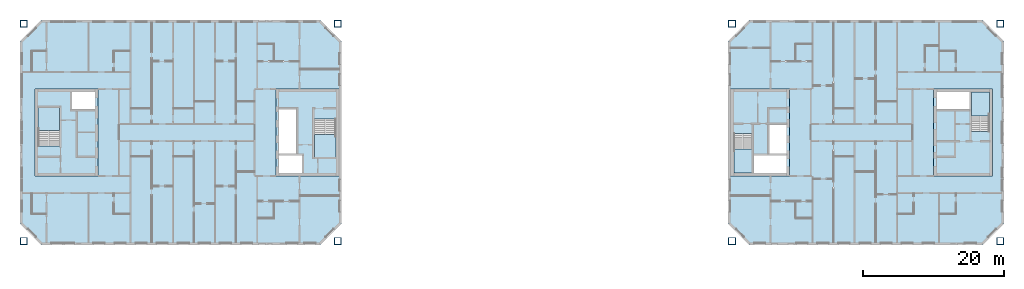
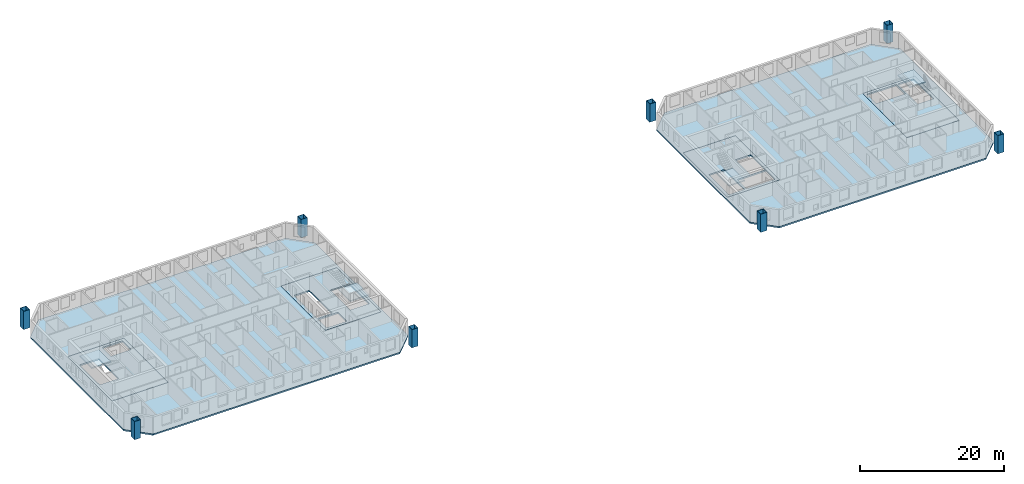
# One storey, part 1 of 16: 10 slabs, 8 columns, 4 elements without a shape of their own.
"""IFC4 building model written with IfcOpenShell, lengths in metres."""

from ifc_helpers import new_model, si_unit, direction, frame, origin, origin_2d, place, context, subcontext, project, spatial, polyline, hollow_rectangle, outline, extrude, material, layer, layer_set, material_profile, profile_set, type_object, element, aggregate, save


model = new_model("IFC4")

# Units and contexts
model_context = context("Model", 3, precision=1e-05, world=origin(), true_north=direction((0.0, 1.0)))
body_context = subcontext(model_context, "Body", "Model", "MODEL_VIEW")
ifc_project = project(units=[si_unit("LENGTHUNIT", "METRE"), si_unit("AREAUNIT", "SQUARE_METRE"), si_unit("VOLUMEUNIT", "CUBIC_METRE"), si_unit("PLANEANGLEUNIT", "RADIAN"), si_unit("MASSUNIT", "GRAM", prefix="KILO")], contexts=[model_context])

# Site, building, storey
site_placement = place(None, origin())
site = spatial("IfcSite", under=ifc_project, at=site_placement, CompositionType="ELEMENT")
building_placement = place(site_placement, origin())
building = spatial("IfcBuilding", under=site, at=building_placement, Name="Tuart Gate Housing", CompositionType="ELEMENT")
storey_placement = place(building_placement, frame((0.0, 0.0, 178.89990234375)))
storey = spatial("IfcBuildingStorey", under=building, at=storey_placement, Name="L50", CompositionType="ELEMENT", Elevation=178.89990234375)

# Columns
ifc_material_1 = material(Name="Steel Grade 350", Category="steel")
ifc_material_profile = material_profile(ifc_material_1, hollow_rectangle(XDim=1.0, YDim=1.0, WallThickness=0.054931640625, at=origin_2d()), Name="BOX 1000x1000x55")
ifc_profile_set = profile_set([ifc_material_profile], Name="Steel Grade 350")
column_type = type_object("IfcColumnType", Name="Mega column BOX 1000x1000x55", PredefinedType="COLUMN", material=ifc_profile_set)
for number, where, z_axis, x_axis, name in (
    (1, (30.800048828125, 54.550048828125, 0.0), (0.0, 0.0, 1.0), (1.0, 0.0, 0.0), "Mega column A south-west L50"),
    (2, (75.449951171875, 54.550048828125, 0.0), (0.0, 0.0, 1.0), (1.0, 0.0, 0.0), "Mega column A south-east L50"),
    (3, (75.449951171875, 85.449951171875, 0.0), (0.0, 0.0, 1.0), (1.0, 0.0, 0.0), "Mega column A north-east L50"),
    (4, (30.800048828125, 85.449951171875, 0.0), (0.0, 0.0, 1.0), (1.0, 0.0, 0.0), "Mega column A north-west L50"),
    (5, (131.550048828125, 54.550048828125, 0.0), (0.0, 0.0, 1.0), (1.0, 0.0, 0.0), "Mega column B south-west L50"),
    (6, (169.699951171875, 54.550048828125, 0.0), (0.0, 0.0, 1.0), (1.0, 0.0, 0.0), "Mega column B south-east L50"),
    (7, (169.699951171875, 85.449951171875, 0.0), (0.0, 0.0, 1.0), (1.0, 0.0, 0.0), "Mega column B north-east L50"),
    (8, (131.550048828125, 85.449951171875, 0.0), (0.0, 0.0, 1.0), (1.0, 0.0, 0.0), "Mega column B north-west L50"),
):
    element("IfcColumn", number, at=place(storey_placement, frame(where, z_axis=z_axis, x_axis=x_axis)), inside=storey, type_object=column_type, Name=name, PredefinedType="COLUMN", context=body_context, shape_type="SweptSolid", body=[
        extrude(hollow_rectangle(XDim=1.0, YDim=1.0, WallThickness=0.054931640625, at=origin_2d()), origin(), (0.0, 0.0, 1.0), 3.10009765625),
    ])

# Slabs
ifc_material_2 = material(Name="Concrete C40", Category="concrete")
ifc_layer_1 = layer(ifc_material_2, 0.25)
ifc_layer_set_1 = layer_set([ifc_layer_1], Name="Core floor slab 250")
slab_type_1 = type_object("IfcSlabType", Name="Core floor slab 250", PredefinedType="FLOOR", material=ifc_layer_set_1)
slab_1_placement = place(storey_placement, frame((0.0, 0.0, -0.25)))
element("IfcSlab", 9, at=slab_1_placement, inside=storey, type_object=slab_type_1, Name="Core floor AG", PredefinedType="FLOOR", context=body_context, shape_type="SweptSolid", body=[
    extrude(outline(polyline([(66.639892578125, 63.800048828125), (75.639892578125, 63.800048828125), (75.639892578125, 76.199951171875), (66.639892578125, 76.199951171875), (66.639892578125, 63.800048828125)]), holes=[polyline([(67.090087890625, 64.25), (70.385009765625, 64.25), (70.385009765625, 66.72509765625), (67.090087890625, 66.72509765625), (67.090087890625, 64.25)]), polyline([(67.090087890625, 66.97509765625), (69.56494140625, 66.97509765625), (69.56494140625, 73.324951171875), (67.090087890625, 73.324951171875), (67.090087890625, 66.97509765625)]), polyline([(72.114990234375, 66.35009765625), (75.18994140625, 66.35009765625), (75.18994140625, 71.929931640625), (72.114990234375, 71.929931640625), (72.114990234375, 66.35009765625)])]), origin(), (0.0, 0.0, 1.0), 0.25),
])
slab_2_placement = place(storey_placement, frame((0.0, 0.0, -0.25)))
element("IfcSlab", 10, at=slab_2_placement, inside=storey, type_object=slab_type_1, Name="Core floor AK", PredefinedType="FLOOR", context=body_context, shape_type="SweptSolid", body=[
    extrude(outline(polyline([(32.360107421875, 63.800048828125), (41.360107421875, 63.800048828125), (41.360107421875, 76.199951171875), (32.360107421875, 76.199951171875), (32.360107421875, 63.800048828125)]), holes=[polyline([(40.909912109375, 75.75), (37.614990234375, 75.75), (37.614990234375, 73.27490234375), (40.909912109375, 73.27490234375), (40.909912109375, 75.75)]), polyline([(35.885009765625, 73.64990234375), (32.81005859375, 73.64990234375), (32.81005859375, 68.070068359375), (35.885009765625, 68.070068359375), (35.885009765625, 73.64990234375)])]), origin(), (0.0, 0.0, 1.0), 0.25),
])
slab_3_placement = place(storey_placement, frame((0.0, 0.0, -0.25)))
element("IfcSlab", 11, at=slab_3_placement, inside=storey, type_object=slab_type_1, Name="Core floor BG", PredefinedType="FLOOR", context=body_context, shape_type="SweptSolid", body=[
    extrude(outline(polyline([(131.360107421875, 63.800048828125), (139.760009765625, 63.800048828125), (139.760009765625, 76.199951171875), (131.360107421875, 76.199951171875), (131.360107421875, 63.800048828125)]), holes=[polyline([(139.31005859375, 66.85009765625), (134.635009765625, 66.85009765625), (134.635009765625, 64.25), (139.31005859375, 64.25), (139.31005859375, 66.85009765625)]), polyline([(139.31005859375, 71.125), (136.8349609375, 71.125), (136.8349609375, 66.97509765625), (139.31005859375, 66.97509765625), (139.31005859375, 71.125)]), polyline([(134.385009765625, 69.85498046875), (131.81005859375, 69.85498046875), (131.81005859375, 64.25), (134.385009765625, 64.25), (134.385009765625, 69.85498046875)])]), origin(), (0.0, 0.0, 1.0), 0.25),
])
slab_4_placement = place(storey_placement, frame((0.0, 0.0, -0.25)))
element("IfcSlab", 12, at=slab_4_placement, inside=storey, type_object=slab_type_1, Name="Core floor BK", PredefinedType="FLOOR", context=body_context, shape_type="SweptSolid", body=[
    extrude(outline(polyline([(160.239990234375, 63.800048828125), (168.639892578125, 63.800048828125), (168.639892578125, 76.199951171875), (160.239990234375, 76.199951171875), (160.239990234375, 63.800048828125)]), holes=[polyline([(160.68994140625, 73.14990234375), (165.364990234375, 73.14990234375), (165.364990234375, 75.75), (160.68994140625, 75.75), (160.68994140625, 73.14990234375)]), polyline([(165.614990234375, 70.14501953125), (168.18994140625, 70.14501953125), (168.18994140625, 75.75), (165.614990234375, 75.75), (165.614990234375, 70.14501953125)])]), origin(), (0.0, 0.0, 1.0), 0.25),
])
ifc_material_3 = material(Name="Concrete C40", Category="concrete")
ifc_layer_2 = layer(ifc_material_3, 0.25)
ifc_layer_set_2 = layer_set([ifc_layer_2], Name="Flat plate 250")
slab_type_2 = type_object("IfcSlabType", Name="Flat plate 250", PredefinedType="FLOOR", material=ifc_layer_set_2)
slab_5_placement = place(storey_placement, frame((0.0, 0.0, -0.25)))
element("IfcSlab", 13, at=slab_5_placement, inside=storey, type_object=slab_type_2, Name="Floor slab A L50", PredefinedType="FLOOR", context=body_context, shape_type="SweptSolid", body=[
    extrude(outline(polyline([(33.25, 86.0), (30.25, 83.0), (30.25, 57.0), (33.25, 54.0), (73.0, 54.0), (76.0, 57.0), (76.0, 83.0), (73.0, 86.0), (33.25, 86.0)]), holes=[polyline([(66.639892578125, 76.199951171875), (75.639892578125, 76.199951171875), (75.639892578125, 63.800048828125), (66.639892578125, 63.800048828125), (66.639892578125, 76.199951171875)]), polyline([(41.360107421875, 76.199951171875), (41.360107421875, 63.800048828125), (32.360107421875, 63.800048828125), (32.360107421875, 76.199951171875), (41.360107421875, 76.199951171875)])]), origin(), (0.0, 0.0, 1.0), 0.25),
])
slab_6_placement = place(storey_placement, frame((0.0, 0.0, -0.25)))
element("IfcSlab", 14, at=slab_6_placement, inside=storey, type_object=slab_type_2, Name="Floor slab B L50", PredefinedType="FLOOR", context=body_context, shape_type="SweptSolid", body=[
    extrude(outline(polyline([(134.0, 86.0), (131.0, 83.0), (131.0, 57.0), (134.0, 54.0), (167.25, 54.0), (170.25, 57.0), (170.25, 83.0), (167.25, 86.0), (134.0, 86.0)]), holes=[polyline([(131.360107421875, 76.199951171875), (139.760009765625, 76.199951171875), (139.760009765625, 63.800048828125), (131.360107421875, 63.800048828125), (131.360107421875, 76.199951171875)]), polyline([(168.639892578125, 76.199951171875), (168.639892578125, 63.800048828125), (160.239990234375, 63.800048828125), (160.239990234375, 76.199951171875), (168.639892578125, 76.199951171875)])]), origin(), (0.0, 0.0, 1.0), 0.25),
])

# Stair, slab
ifc_material_4 = material(Name="Concrete C40", Category="concrete")
stair_type_1 = type_object("IfcStairType", Name="Core stair 1500", PredefinedType="HALF_TURN_STAIR", material=ifc_material_4)
stair_1_placement = place(storey_placement, origin())
stair_1 = element("IfcStair", 15, at=stair_1_placement, inside=storey, type_object=stair_type_1, Name="Stair SA1", PredefinedType="HALF_TURN_STAIR")
ifc_material_5 = material(Name="Concrete C40", Category="concrete")
ifc_layer_3 = layer(ifc_material_5, 0.199951171875)
ifc_layer_set_3 = layer_set([ifc_layer_3], Name="Stair landing 200")
slab_type_3 = type_object("IfcSlabType", Name="Stair landing 200", PredefinedType="LANDING", material=ifc_layer_set_3)
slab_7_placement = place(storey_placement, frame((0.0, 0.0, 1.35009765625)))
slab_7 = element("IfcSlab", 16, at=slab_7_placement, type_object=slab_type_3, Name="SA1 landing 1", PredefinedType="LANDING", context=body_context, shape_type="SweptSolid", body=[
    extrude(outline(polyline([(72.114990234375, 66.35009765625), (75.18994140625, 66.35009765625), (75.18994140625, 69.7099609375), (72.114990234375, 69.7099609375), (72.114990234375, 66.35009765625)])), origin(), (0.0, 0.0, 1.0), 0.199951171875),
])
aggregate(stair_1, [slab_7])

stair_2_placement = place(storey_placement, origin())
stair_2 = element("IfcStair", 17, at=stair_2_placement, inside=storey, type_object=stair_type_1, Name="Stair SA2", PredefinedType="HALF_TURN_STAIR")
slab_8_placement = place(storey_placement, frame((0.0, 0.0, 1.35009765625)))
slab_8 = element("IfcSlab", 18, at=slab_8_placement, type_object=slab_type_3, Name="SA2 landing 1", PredefinedType="LANDING", context=body_context, shape_type="SweptSolid", body=[
    extrude(outline(polyline([(35.885009765625, 73.64990234375), (32.81005859375, 73.64990234375), (32.81005859375, 70.2900390625), (35.885009765625, 70.2900390625), (35.885009765625, 73.64990234375)])), origin(), (0.0, 0.0, 1.0), 0.199951171875),
])
aggregate(stair_2, [slab_8])

ifc_material_6 = material(Name="Concrete C40", Category="concrete")
stair_type_2 = type_object("IfcStairType", Name="Core stair 1250", PredefinedType="HALF_TURN_STAIR", material=ifc_material_6)
stair_3_placement = place(storey_placement, origin())
stair_3 = element("IfcStair", 19, at=stair_3_placement, inside=storey, type_object=stair_type_2, Name="Stair SB1", PredefinedType="HALF_TURN_STAIR")
slab_9_placement = place(storey_placement, frame((0.0, 0.0, 1.35009765625)))
slab_9 = element("IfcSlab", 20, at=slab_9_placement, type_object=slab_type_3, Name="SB1 landing 1", PredefinedType="LANDING", context=body_context, shape_type="SweptSolid", body=[
    extrude(outline(polyline([(134.385009765625, 67.635009765625), (131.81005859375, 67.635009765625), (131.81005859375, 64.25), (134.385009765625, 64.25), (134.385009765625, 67.635009765625)])), origin(), (0.0, 0.0, 1.0), 0.199951171875),
])
aggregate(stair_3, [slab_9])

stair_4_placement = place(storey_placement, origin())
stair_4 = element("IfcStair", 21, at=stair_4_placement, inside=storey, type_object=stair_type_2, Name="Stair SB2", PredefinedType="HALF_TURN_STAIR")
slab_10_placement = place(storey_placement, frame((0.0, 0.0, 1.35009765625)))
slab_10 = element("IfcSlab", 22, at=slab_10_placement, type_object=slab_type_3, Name="SB2 landing 1", PredefinedType="LANDING", context=body_context, shape_type="SweptSolid", body=[
    extrude(outline(polyline([(165.614990234375, 72.364990234375), (168.18994140625, 72.364990234375), (168.18994140625, 75.75), (165.614990234375, 75.75), (165.614990234375, 72.364990234375)])), origin(), (0.0, 0.0, 1.0), 0.199951171875),
])
aggregate(stair_4, [slab_10])

save(model, "model.ifc")
